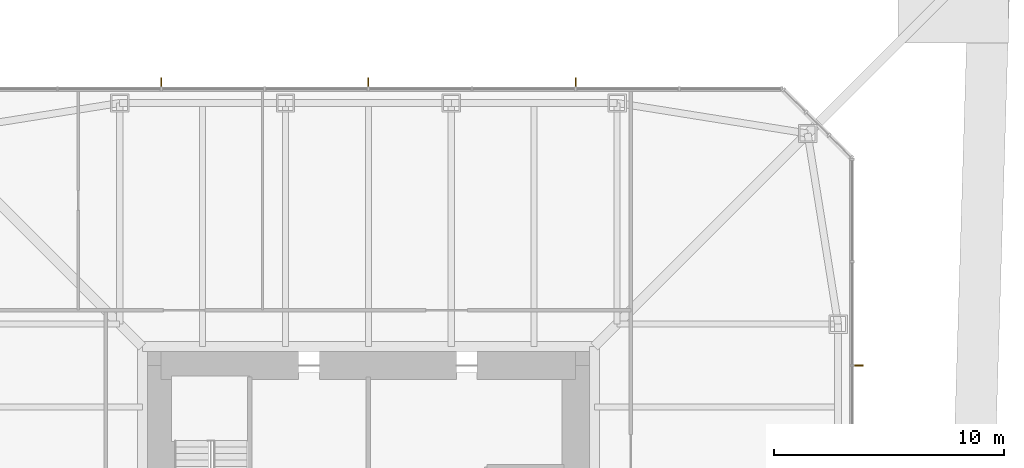
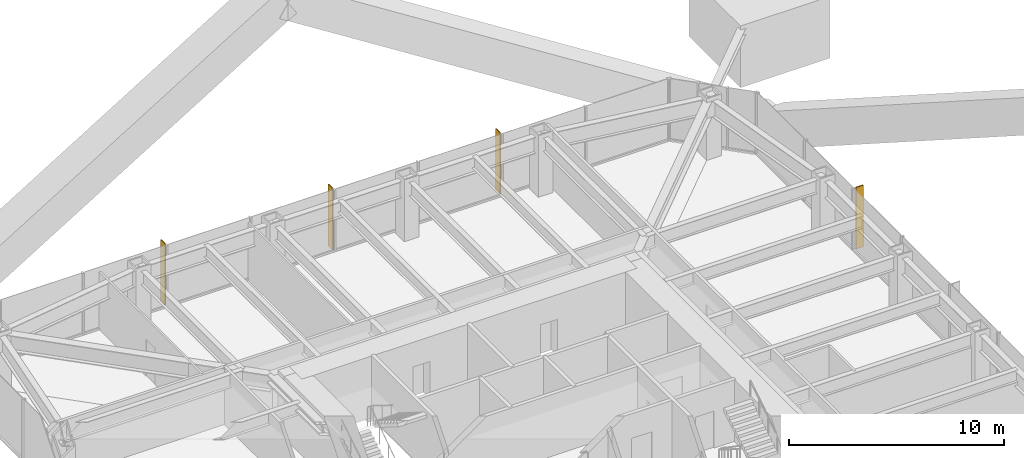
# One storey, part 20 of 21: 4 shading devices.
"""IFC4 building model written with IfcOpenShell, lengths in metres."""

from ifc_helpers import new_model, si_unit, direction, frame, origin, origin_2d, place, context, subcontext, project, spatial, rectangle, extrude, material, layer, layer_set, type_object, element, save


model = new_model("IFC4")

# Units and contexts
model_context = context("Model", 3, precision=1e-05, world=origin(), true_north=direction((0.0, 1.0)))
body_context = subcontext(model_context, "Body", "Model", "MODEL_VIEW")
ifc_project = project(units=[si_unit("LENGTHUNIT", "METRE"), si_unit("AREAUNIT", "SQUARE_METRE"), si_unit("VOLUMEUNIT", "CUBIC_METRE"), si_unit("PLANEANGLEUNIT", "RADIAN"), si_unit("MASSUNIT", "GRAM", prefix="KILO")], contexts=[model_context])

# Site, building, storey
site_placement = place(None, origin())
site = spatial("IfcSite", under=ifc_project, at=site_placement, CompositionType="ELEMENT")
building_placement = place(site_placement, origin())
building = spatial("IfcBuilding", under=site, at=building_placement, Name="Iwan Alto Co-Living Towers", CompositionType="ELEMENT")
storey_placement = place(building_placement, frame((0.0, 0.0, 80.5)))
storey = spatial("IfcBuildingStorey", under=building, at=storey_placement, Name="L21", CompositionType="ELEMENT", Elevation=80.5)

# Shading devices
ifc_material = material(Name="Aluminium 6063-T6 bronze anodised", Category="aluminium")
ifc_layer = layer(ifc_material, 0.050048828125)
ifc_layer_set = layer_set([ifc_layer], Name="BRONZE FIN 50X400")
shading_device_type = type_object("IfcShadingDeviceType", Name="BRONZE FIN 50X400", PredefinedType="USERDEFINED", material=ifc_layer_set)
for number, where, z_axis, x_axis, name in (
    (1, (21.300048828125, 9.0, 0.0), (0.0, 0.0, 1.0), (0.0, 1.0, 0.0), "Bronze fin L21"),
    (2, (9.0, 21.300048828125, 0.0), (0.0, 0.0, 1.0), (-1.0, 0.0, 0.0), "Bronze fin L21"),
    (3, (0.0, 21.300048828125, 0.0), (0.0, 0.0, 1.0), (-1.0, 0.0, 0.0), "Bronze fin L21"),
    (4, (-9.0, 21.300048828125, 0.0), (0.0, 0.0, 1.0), (-1.0, 0.0, 0.0), "Bronze fin L21"),
):
    element("IfcShadingDevice", number, at=place(storey_placement, frame(where, z_axis=z_axis, x_axis=x_axis)), inside=storey, type_object=shading_device_type, Name=name, ObjectType="LOUVER", PredefinedType="USERDEFINED", context=body_context, shape_type="SweptSolid", body=[
        extrude(rectangle(XDim=0.050048828125, YDim=0.39990234375, at=origin_2d()), origin(), (0.0, 0.0, 1.0), 3.5),
    ])

save(model, "model.ifc")
